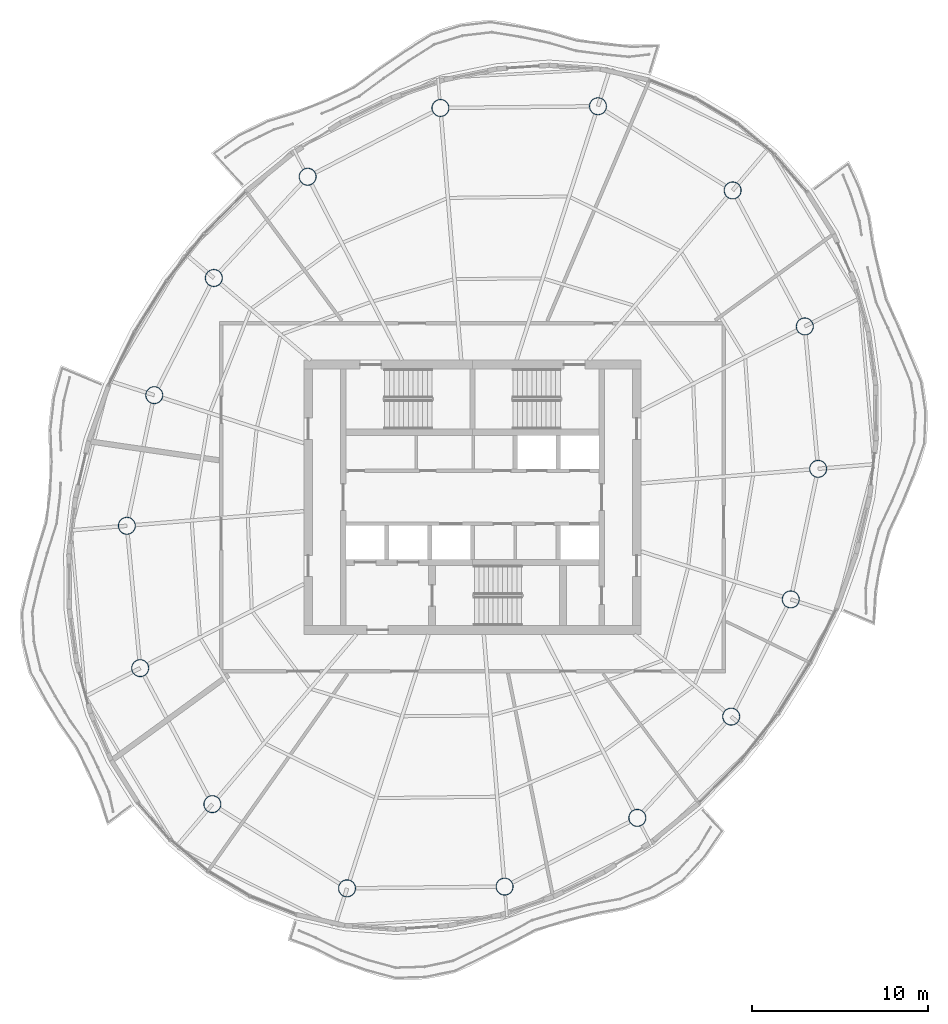
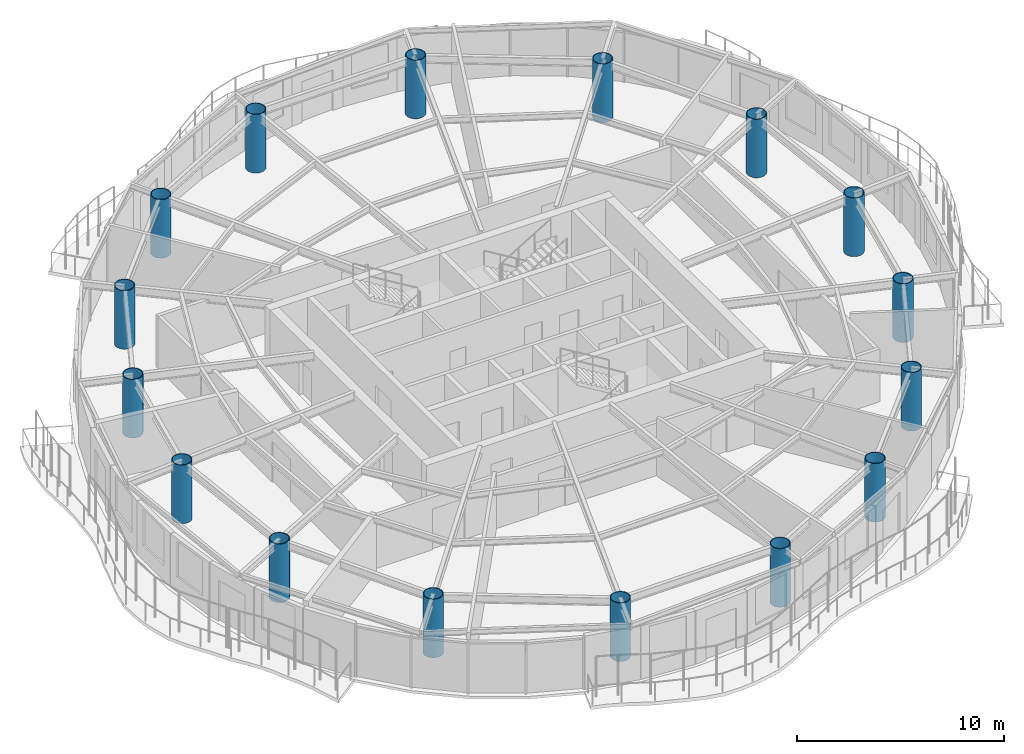
# One storey, part 1 of 14: 16 columns.
"""IFC4 building model written with IfcOpenShell, lengths in metres."""

from ifc_helpers import new_model, si_unit, direction, frame, origin, origin_2d, place, context, subcontext, project, spatial, hollow_circle, extrude, material, material_profile, profile_set, type_object, element, save


model = new_model("IFC4")

# Units and contexts
model_context = context("Model", 3, precision=1e-05, world=origin(), true_north=direction((0.0, 1.0)))
body_context = subcontext(model_context, "Body", "Model", "MODEL_VIEW")
ifc_project = project(units=[si_unit("LENGTHUNIT", "METRE"), si_unit("AREAUNIT", "SQUARE_METRE"), si_unit("VOLUMEUNIT", "CUBIC_METRE"), si_unit("PLANEANGLEUNIT", "RADIAN"), si_unit("MASSUNIT", "GRAM", prefix="KILO")], contexts=[model_context])

# Site, building, storey
site_placement = place(None, origin())
site = spatial("IfcSite", under=ifc_project, at=site_placement, CompositionType="ELEMENT")
building_placement = place(site_placement, origin())
building = spatial("IfcBuilding", under=site, at=building_placement, Name="Vermilion Reach Broadcast Tower", CompositionType="ELEMENT")
storey_placement = place(building_placement, frame((0.0, 0.0, 254.10009765625)))
storey = spatial("IfcBuildingStorey", under=building, at=storey_placement, Name="L62", CompositionType="ELEMENT", Elevation=254.10009765625)

# Columns
ifc_material = material(Name="Concrete C60 infill in steel S460NL tube", Category="concrete")
ifc_material_profile = material_profile(ifc_material, hollow_circle(Radius=0.5, WallThickness=0.0400390625, at=origin_2d()), Name="Concrete C60 infill in steel S460NL tube CFT 1000x40")
ifc_profile_set = profile_set([ifc_material_profile], Name="Concrete C60 infill in steel S460NL tube")
column_type = type_object("IfcColumnType", Name="MC5 CFT 1000x40", PredefinedType="COLUMN", material=ifc_profile_set)
for number, where, z_axis, x_axis, name in (
    (1, (1.138427734375, 22.2470703125, 0.0), (0.0, 0.0, 1.0), (1.0, 0.0, 0.0), "Mega-column MC5-01"),
    (2, (-7.824951171875, 22.1494140625, 0.0), (0.0, 0.0, 1.0), (1.0, 0.0, 0.0), "Mega-column MC5-02"),
    (3, (-15.376953125, 18.23779296875, 0.0), (0.0, 0.0, 1.0), (1.0, 0.0, 0.0), "Mega-column MC5-03"),
    (4, (-20.717529296875, 12.476806640625, 0.0), (0.0, 0.0, 1.0), (1.0, 0.0, 0.0), "Mega-column MC5-04"),
    (5, (-24.10595703125, 5.809814453125, 0.0), (0.0, 0.0, 1.0), (1.0, 0.0, 0.0), "Mega-column MC5-05"),
    (6, (-25.665771484375, -1.620361328125, 0.0), (0.0, 0.0, 1.0), (1.0, 0.0, 0.0), "Mega-column MC5-06"),
    (7, (-24.905517578125, -9.72021484375, 0.0), (0.0, 0.0, 1.0), (1.0, 0.0, 0.0), "Mega-column MC5-07"),
    (8, (-20.799560546875, -17.457275390625, 0.0), (0.0, 0.0, 1.0), (1.0, 0.0, 0.0), "Mega-column MC5-08"),
    (9, (-13.138427734375, -22.2470703125, 0.0), (0.0, 0.0, 1.0), (1.0, 0.0, 0.0), "Mega-column MC5-09"),
    (10, (-4.175048828125, -22.1494140625, 0.0), (0.0, 0.0, 1.0), (1.0, 0.0, 0.0), "Mega-column MC5-10"),
    (11, (3.376953125, -18.23779296875, 0.0), (0.0, 0.0, 1.0), (1.0, 0.0, 0.0), "Mega-column MC5-11"),
    (12, (8.717529296875, -12.476806640625, 0.0), (0.0, 0.0, 1.0), (1.0, 0.0, 0.0), "Mega-column MC5-12"),
    (13, (12.10595703125, -5.809814453125, 0.0), (0.0, 0.0, 1.0), (1.0, 0.0, 0.0), "Mega-column MC5-13"),
    (14, (13.665771484375, 1.620361328125, 0.0), (0.0, 0.0, 1.0), (1.0, 0.0, 0.0), "Mega-column MC5-14"),
    (15, (12.905517578125, 9.72021484375, 0.0), (0.0, 0.0, 1.0), (1.0, 0.0, 0.0), "Mega-column MC5-15"),
    (16, (8.799560546875, 17.457275390625, 0.0), (0.0, 0.0, 1.0), (1.0, 0.0, 0.0), "Mega-column MC5-16"),
):
    element("IfcColumn", number, at=place(storey_placement, frame(where, z_axis=z_axis, x_axis=x_axis)), inside=storey, type_object=column_type, Name=name, PredefinedType="COLUMN", context=body_context, shape_type="SweptSolid", body=[
        extrude(hollow_circle(Radius=0.5, WallThickness=0.0400390625, at=origin_2d()), origin(), (0.0, 0.0, 1.0), 3.449951171875),
    ])

save(model, "model.ifc")
